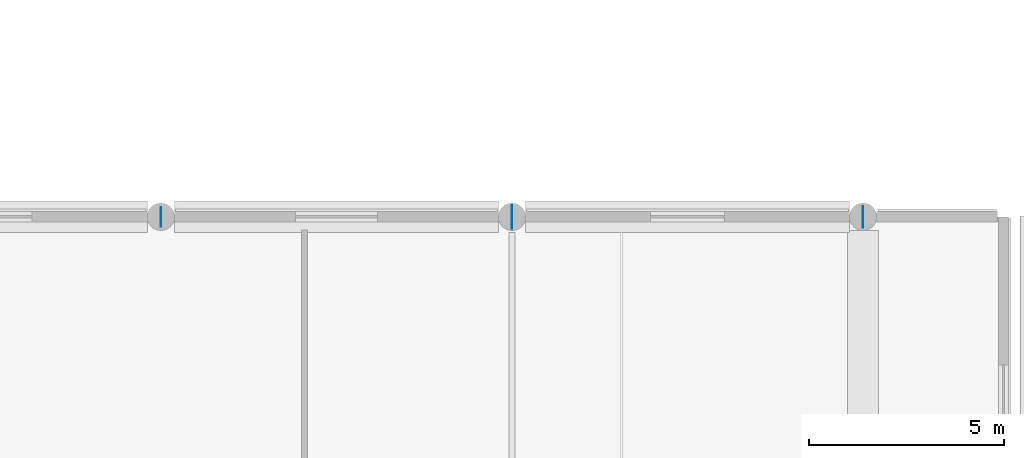
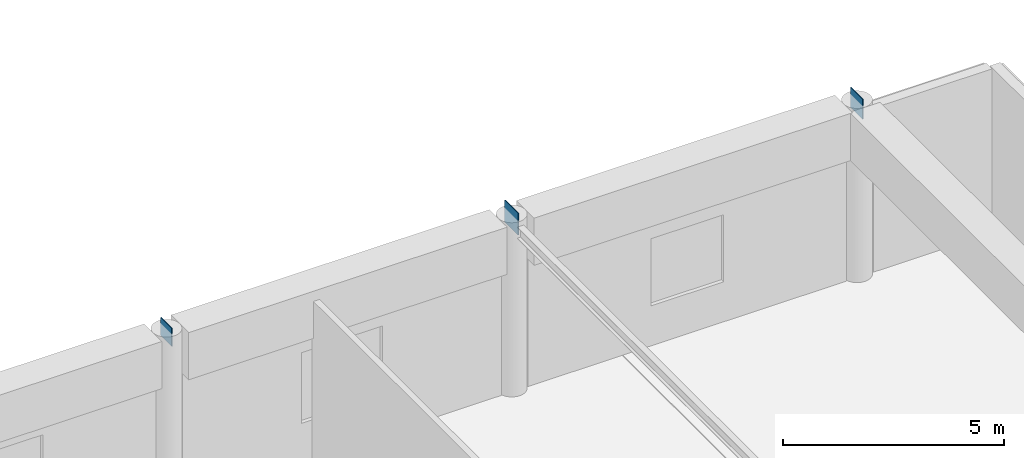
# One storey, part 39 of 67: 3 plates.
"""IFC4 building model written with IfcOpenShell, lengths in metres."""

from ifc_helpers import new_model, si_unit, direction, frame, origin, origin_2d, place, context, subcontext, project, spatial, rectangle, extrude, material, layer, layer_set, type_object, element, save


model = new_model("IFC4")

# Units and contexts
model_context = context("Model", 3, precision=1e-05, world=origin(), true_north=direction((0.0, 1.0)))
body_context = subcontext(model_context, "Body", "Model", "MODEL_VIEW")
ifc_project = project(units=[si_unit("LENGTHUNIT", "METRE"), si_unit("AREAUNIT", "SQUARE_METRE"), si_unit("VOLUMEUNIT", "CUBIC_METRE"), si_unit("PLANEANGLEUNIT", "RADIAN"), si_unit("MASSUNIT", "GRAM", prefix="KILO")], contexts=[model_context])

# Site, building, storey
site_placement = place(None, origin())
site = spatial("IfcSite", under=ifc_project, at=site_placement, CompositionType="ELEMENT")
building_placement = place(site_placement, origin())
building = spatial("IfcBuilding", under=site, at=building_placement, Name="Cendralis Terraced Arcade", CompositionType="ELEMENT")
storey_placement = place(building_placement, frame((0.0, 0.0, 15.0)))
storey = spatial("IfcBuildingStorey", under=building, at=storey_placement, Name="L03", CompositionType="ELEMENT", Elevation=15.0)

# Plates
ifc_material = material(Name="Steel ASTM A572 Grade 50", Category="steel")
ifc_layer_1 = layer(ifc_material, 0.01806640625, Name="PLT-GUS-500x500x18")
ifc_layer_set_1 = layer_set([ifc_layer_1], Name="Steel ASTM A572 Grade 50")
plate_type_1 = type_object("IfcPlateType", Name="PLT-GUS-500x500x18", PredefinedType="SHEET", material=ifc_layer_set_1)
plate_1_placement = place(storey_placement, frame((112.199951171875, 38.39990234375, 4.449951171875), z_axis=(0.0, 0.0, 1.0), x_axis=(0.0, 1.0, 0.0)))
element("IfcPlate", 1, at=plate_1_placement, inside=storey, type_object=plate_type_1, Name="Gourmet Food Hall Vault Springing Node Gusset Plate 06-N", PredefinedType="SHEET", context=body_context, shape_type="SweptSolid", body=[
    extrude(rectangle(XDim=0.5, YDim=0.01806640625, at=origin_2d()), origin(), (0.0, 0.0, 1.0), 0.5),
])
ifc_layer_2 = layer(ifc_material, 0.01806640625, Name="PLT-GUS-550x550x18")
ifc_layer_set_2 = layer_set([ifc_layer_2], Name="Steel ASTM A572 Grade 50")
plate_type_2 = type_object("IfcPlateType", Name="PLT-GUS-550x550x18", PredefinedType="SHEET", material=ifc_layer_set_2)
plate_2_placement = place(storey_placement, frame((130.199951171875, 38.39990234375, 4.4248046875), z_axis=(0.0, 0.0, 1.0), x_axis=(0.0, 1.0, 0.0)))
element("IfcPlate", 2, at=plate_2_placement, inside=storey, type_object=plate_type_2, Name="Gourmet Food Hall Vault Springing Node Gusset Plate 08-N", PredefinedType="SHEET", context=body_context, shape_type="SweptSolid", body=[
    extrude(rectangle(XDim=0.550048828125, YDim=0.01806640625, at=origin_2d()), origin(), (0.0, 0.0, 1.0), 0.550048828125),
])
ifc_layer_3 = layer(ifc_material, 0.02001953125, Name="PLT-GUS-600x600x20")
ifc_layer_set_3 = layer_set([ifc_layer_3], Name="Steel ASTM A572 Grade 50")
plate_type_3 = type_object("IfcPlateType", Name="PLT-GUS-600x600x20", PredefinedType="SHEET", material=ifc_layer_set_3)
plate_3_placement = place(storey_placement, frame((121.199951171875, 38.39990234375, 4.39990234375), z_axis=(0.0, 0.0, 1.0), x_axis=(0.0, 1.0, 0.0)))
element("IfcPlate", 3, at=plate_3_placement, inside=storey, type_object=plate_type_3, Name="Gourmet Food Hall Vault Springing Node Gusset Plate 07-N", PredefinedType="SHEET", context=body_context, shape_type="SweptSolid", body=[
    extrude(rectangle(XDim=0.60009765625, YDim=0.02001953125, at=origin_2d()), origin(), (0.0, 0.0, 1.0), 0.60009765625),
])

save(model, "model.ifc")
